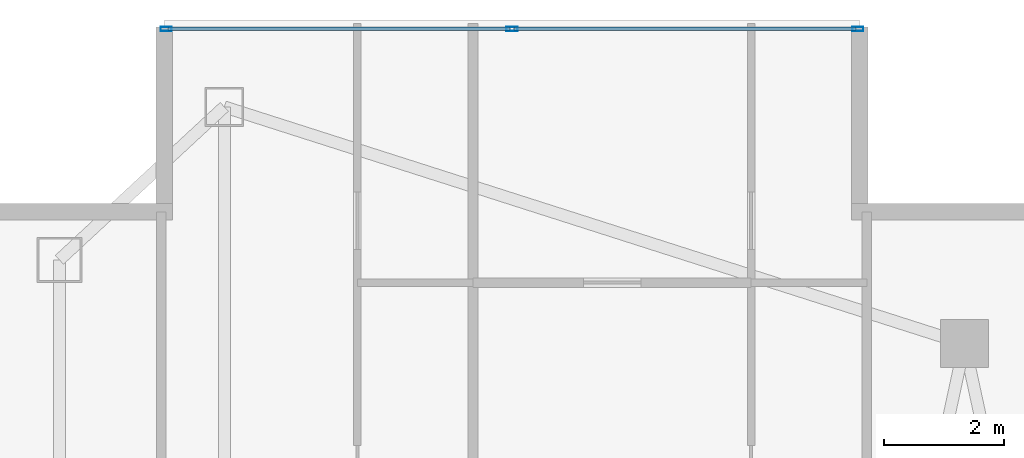
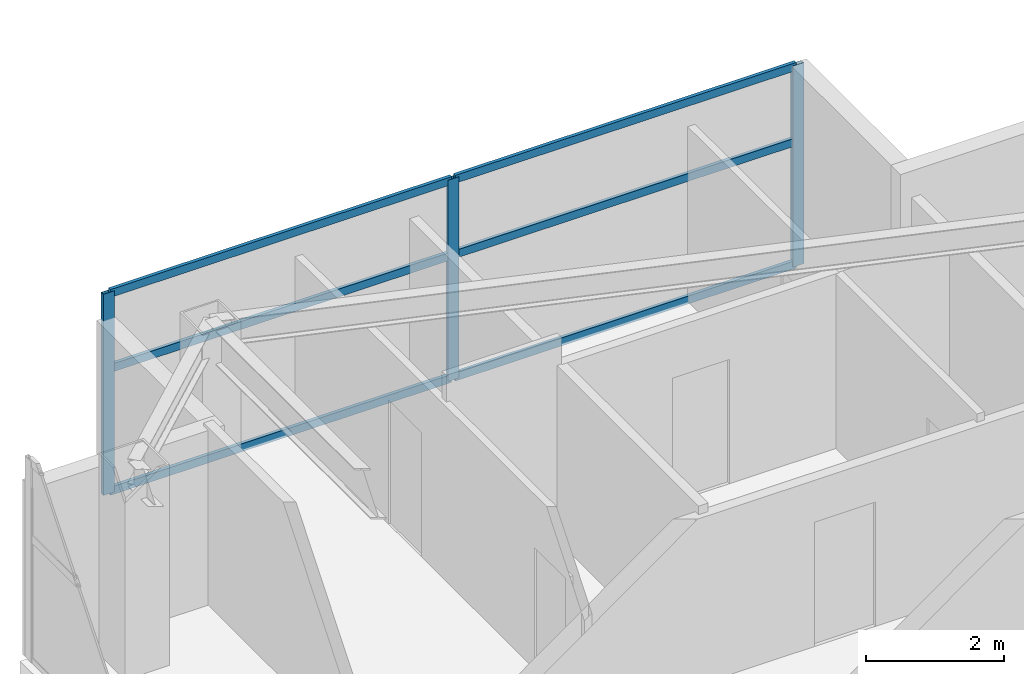
# One storey, part 20 of 29: 9 members, 1 element without a shape of its own.
"""IFC4 building model written with IfcOpenShell, lengths in metres."""

from ifc_helpers import new_model, si_unit, direction, frame, origin, origin_2d, place, context, subcontext, project, spatial, hollow_rectangle, extrude, material, layer, layer_set, material_profile, profile_set, type_object, element, aggregate, save


model = new_model("IFC4")

# Units and contexts
model_context = context("Model", 3, precision=1e-05, world=origin(), true_north=direction((0.0, 1.0)))
body_context = subcontext(model_context, "Body", "Model", "MODEL_VIEW")
ifc_project = project(units=[si_unit("LENGTHUNIT", "METRE"), si_unit("AREAUNIT", "SQUARE_METRE"), si_unit("VOLUMEUNIT", "CUBIC_METRE"), si_unit("PLANEANGLEUNIT", "RADIAN"), si_unit("MASSUNIT", "GRAM", prefix="KILO")], contexts=[model_context])

# Site, building, storey
site_placement = place(None, origin())
site = spatial("IfcSite", under=ifc_project, at=site_placement, CompositionType="ELEMENT")
building_placement = place(site_placement, origin())
building = spatial("IfcBuilding", under=site, at=building_placement, Name="Calvorn Quay Hotel", CompositionType="ELEMENT")
storey_placement = place(building_placement, frame((0.0, 0.0, 199.60009765625)))
storey = spatial("IfcBuildingStorey", under=building, at=storey_placement, Name="L49", CompositionType="ELEMENT", Elevation=199.60009765625)

# Curtain wall, members
ifc_material_1 = material(Name="Champagne Bronze Anodised Aluminium and Low-E Glass", Category="aluminium")
ifc_layer = layer(ifc_material_1, 0.219970703125)
ifc_layer_set = layer_set([ifc_layer], Name="CW-SYS-Z3")
curtain_wall_type = type_object("IfcCurtainWallType", Name="CW-SYS-Z3", PredefinedType="NOTDEFINED", material=ifc_layer_set)
curtain_wall_placement = place(storey_placement, origin())
curtain_wall = element("IfcCurtainWall", 1, at=curtain_wall_placement, inside=storey, type_object=curtain_wall_type, Name="Inner Court Curtain Wall L49-N1", PredefinedType="NOTDEFINED")
ifc_material_2 = material(Name="Champagne Bronze Anodised Aluminium 6063-T6", Category="aluminium")
ifc_material_profile_1 = material_profile(ifc_material_2, hollow_rectangle(XDim=0.068115234375, YDim=0.18505859375, WallThickness=0.00390625, at=origin_2d()), Name="ALU-M185x68x4")
ifc_profile_set_1 = profile_set([ifc_material_profile_1], Name="Champagne Bronze Anodised Aluminium 6063-T6")
member_type_1 = type_object("IfcMemberType", Name="CW-SYS-Z3-MUL", PredefinedType="MULLION", material=ifc_profile_set_1)
member_1_placement = place(storey_placement, frame((14.77001953125, 50.85009765625, 0.0), z_axis=(0.0, 0.0, 1.0), x_axis=(0.0, -1.0, 0.0)))
member_1 = element("IfcMember", 2, at=member_1_placement, type_object=member_type_1, Name="CW-L49-N1 mullion 1", PredefinedType="MULLION", context=body_context, shape_type="SweptSolid", body=[
    extrude(hollow_rectangle(XDim=0.068115234375, YDim=0.18505859375, WallThickness=0.00390625, at=origin_2d()), origin(), (0.0, 0.0, 1.0), 3.559814453125),
])
member_2_placement = place(storey_placement, frame((9.0, 50.85009765625, 0.0), z_axis=(0.0, 0.0, 1.0), x_axis=(0.0, -1.0, 0.0)))
member_2 = element("IfcMember", 3, at=member_2_placement, type_object=member_type_1, Name="CW-L49-N1 mullion 2", PredefinedType="MULLION", context=body_context, shape_type="SweptSolid", body=[
    extrude(hollow_rectangle(XDim=0.068115234375, YDim=0.18505859375, WallThickness=0.00390625, at=origin_2d()), origin(), (0.0, 0.0, 1.0), 3.559814453125),
])
member_3_placement = place(storey_placement, frame((3.22998046875, 50.85009765625, 0.0), z_axis=(0.0, 0.0, 1.0), x_axis=(0.0, -1.0, 0.0)))
member_3 = element("IfcMember", 4, at=member_3_placement, type_object=member_type_1, Name="CW-L49-N1 mullion 3", PredefinedType="MULLION", context=body_context, shape_type="SweptSolid", body=[
    extrude(hollow_rectangle(XDim=0.068115234375, YDim=0.18505859375, WallThickness=0.00390625, at=origin_2d()), origin(), (0.0, 0.0, 1.0), 3.559814453125),
])
ifc_material_3 = material(Name="Champagne Bronze Anodised Aluminium 6063-T6", Category="aluminium")
ifc_material_profile_2 = material_profile(ifc_material_3, hollow_rectangle(XDim=0.05810546875, YDim=0.139892578125, WallThickness=0.003173828125, at=origin_2d()), Name="ALU-T140x58x3.2")
ifc_profile_set_2 = profile_set([ifc_material_profile_2], Name="Champagne Bronze Anodised Aluminium 6063-T6")
member_type_2 = type_object("IfcMemberType", Name="CW-SYS-Z3-TRN", PredefinedType="USERDEFINED", material=ifc_profile_set_2)
member_4_placement = place(storey_placement, frame((14.739990234375, 50.85009765625, 0.02978515625), z_axis=(-1.0, 0.0, 0.0), x_axis=(0.0, -1.0, 0.0)))
member_4 = element("IfcMember", 5, at=member_4_placement, type_object=member_type_2, Name="CW-L49-N1 transom 1.1", ObjectType="TRANSOM", PredefinedType="USERDEFINED", context=body_context, shape_type="SweptSolid", body=[
    extrude(hollow_rectangle(XDim=0.05810546875, YDim=0.139892578125, WallThickness=0.003173828125, at=origin_2d()), origin(), (0.0, 0.0, 1.0), 5.7099609375),
])
member_5_placement = place(storey_placement, frame((14.739990234375, 50.85009765625, 2.199951171875), z_axis=(-1.0, 0.0, 0.0), x_axis=(0.0, -1.0, 0.0)))
member_5 = element("IfcMember", 6, at=member_5_placement, type_object=member_type_2, Name="CW-L49-N1 transom 1.2", ObjectType="TRANSOM", PredefinedType="USERDEFINED", context=body_context, shape_type="SweptSolid", body=[
    extrude(hollow_rectangle(XDim=0.05810546875, YDim=0.139892578125, WallThickness=0.003173828125, at=origin_2d()), origin(), (0.0, 0.0, 1.0), 5.7099609375),
])
member_6_placement = place(storey_placement, frame((14.739990234375, 50.85009765625, 3.52978515625), z_axis=(-1.0, 0.0, 0.0), x_axis=(0.0, -1.0, 0.0)))
member_6 = element("IfcMember", 7, at=member_6_placement, type_object=member_type_2, Name="CW-L49-N1 transom 1.3", ObjectType="TRANSOM", PredefinedType="USERDEFINED", context=body_context, shape_type="SweptSolid", body=[
    extrude(hollow_rectangle(XDim=0.05810546875, YDim=0.139892578125, WallThickness=0.003173828125, at=origin_2d()), origin(), (0.0, 0.0, 1.0), 5.7099609375),
])
member_7_placement = place(storey_placement, frame((8.969970703125, 50.85009765625, 0.02978515625), z_axis=(-1.0, 0.0, 0.0), x_axis=(0.0, -1.0, 0.0)))
member_7 = element("IfcMember", 8, at=member_7_placement, type_object=member_type_2, Name="CW-L49-N1 transom 2.1", ObjectType="TRANSOM", PredefinedType="USERDEFINED", context=body_context, shape_type="SweptSolid", body=[
    extrude(hollow_rectangle(XDim=0.05810546875, YDim=0.139892578125, WallThickness=0.003173828125, at=origin_2d()), origin(), (0.0, 0.0, 1.0), 5.7099609375),
])
member_8_placement = place(storey_placement, frame((8.969970703125, 50.85009765625, 2.199951171875), z_axis=(-1.0, 0.0, 0.0), x_axis=(0.0, -1.0, 0.0)))
member_8 = element("IfcMember", 9, at=member_8_placement, type_object=member_type_2, Name="CW-L49-N1 transom 2.2", ObjectType="TRANSOM", PredefinedType="USERDEFINED", context=body_context, shape_type="SweptSolid", body=[
    extrude(hollow_rectangle(XDim=0.05810546875, YDim=0.139892578125, WallThickness=0.003173828125, at=origin_2d()), origin(), (0.0, 0.0, 1.0), 5.7099609375),
])
member_9_placement = place(storey_placement, frame((8.969970703125, 50.85009765625, 3.52978515625), z_axis=(-1.0, 0.0, 0.0), x_axis=(0.0, -1.0, 0.0)))
member_9 = element("IfcMember", 10, at=member_9_placement, type_object=member_type_2, Name="CW-L49-N1 transom 2.3", ObjectType="TRANSOM", PredefinedType="USERDEFINED", context=body_context, shape_type="SweptSolid", body=[
    extrude(hollow_rectangle(XDim=0.05810546875, YDim=0.139892578125, WallThickness=0.003173828125, at=origin_2d()), origin(), (0.0, 0.0, 1.0), 5.7099609375),
])
aggregate(curtain_wall, [member_1, member_2, member_3, member_4, member_5, member_6, member_7, member_8, member_9])

save(model, "model.ifc")
